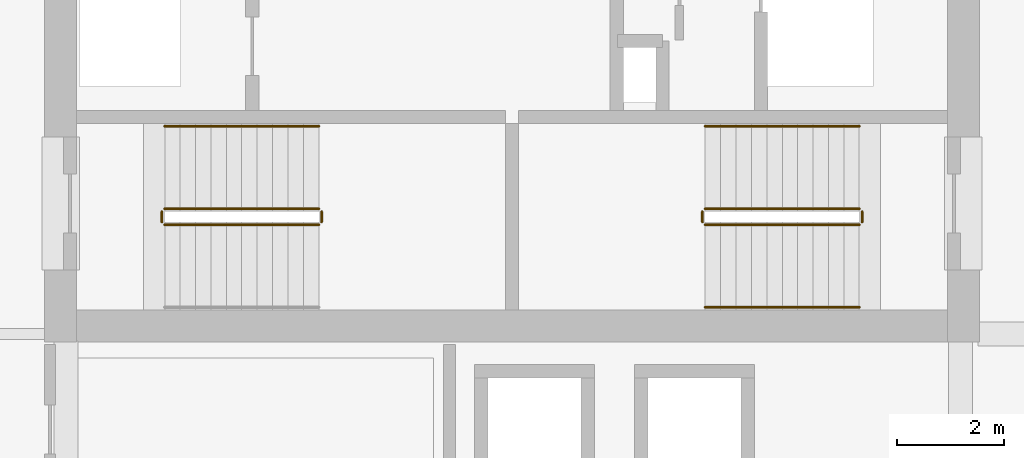
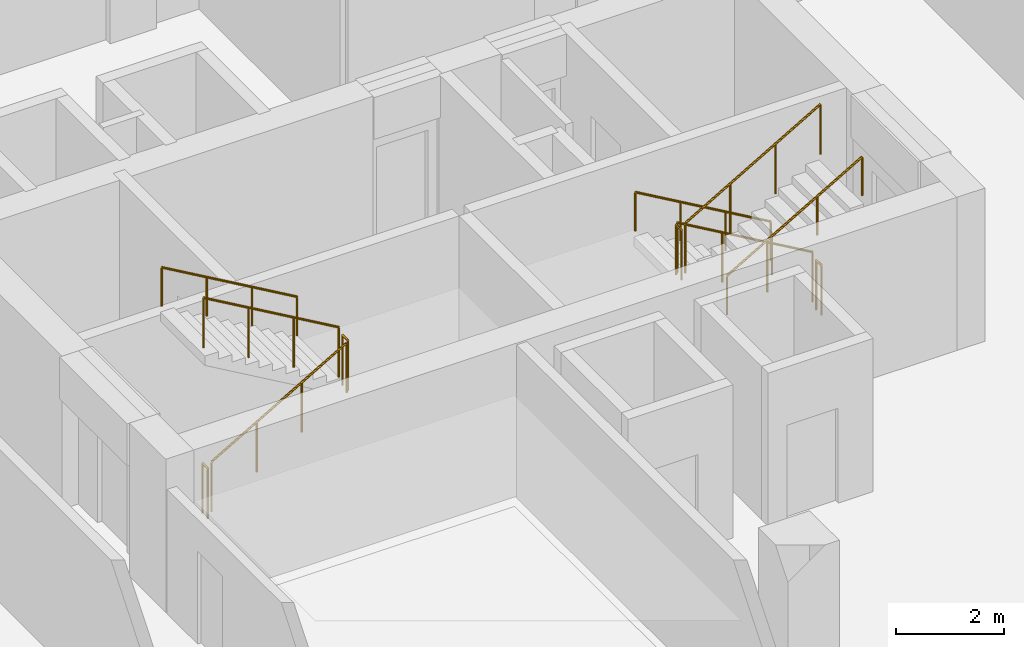
# One storey, part 19 of 21: 11 railings.
"""IFC4 building model written with IfcOpenShell, lengths in metres."""

from ifc_helpers import new_model, si_unit, direction, frame, origin, origin_2d, place, context, subcontext, project, spatial, circle, extrude, material, type_object, element, save


model = new_model("IFC4")

# Units and contexts
model_context = context("Model", 3, precision=1e-05, world=origin(), true_north=direction((0.0, 1.0)))
body_context = subcontext(model_context, "Body", "Model", "MODEL_VIEW")
ifc_project = project(units=[si_unit("LENGTHUNIT", "METRE"), si_unit("AREAUNIT", "SQUARE_METRE"), si_unit("VOLUMEUNIT", "CUBIC_METRE"), si_unit("PLANEANGLEUNIT", "RADIAN"), si_unit("MASSUNIT", "GRAM", prefix="KILO")], contexts=[model_context])

# Site, building, storey
site_placement = place(None, origin())
site = spatial("IfcSite", under=ifc_project, at=site_placement, CompositionType="ELEMENT")
building_placement = place(site_placement, origin())
building = spatial("IfcBuilding", under=site, at=building_placement, Name="Koriwani Terraces Tower", CompositionType="ELEMENT")
storey_placement = place(building_placement, frame((0.0, 0.0, 197.60009765625)))
storey = spatial("IfcBuildingStorey", under=building, at=storey_placement, Name="L48", CompositionType="ELEMENT", Elevation=197.60009765625)

# Railings
ifc_material = material(Name="Steel ASTM A572 Grade 50", Category="steel")
railing_type_1 = type_object("IfcRailingType", Name="GUARD_STAIR_WELL_1120", PredefinedType="GUARDRAIL", material=ifc_material)
railing_1_placement = place(storey_placement, frame((43.85009765625, 18.85009765625, 0.16796875)))
element("IfcRailing", 1, at=railing_1_placement, inside=storey, type_object=railing_type_1, Name="L48 ST-E1 stair guard 1", PredefinedType="GUARDRAIL", context=body_context, shape_type="SweptSolid", body=[
    extrude(circle(Radius=0.02392578125, at=origin_2d()), frame((0.0, 0.0, 1.1259765625), z_axis=(0.865038774852, 0.0, 0.501705010941), x_axis=(0.0, 1.0, 0.0)), (0.0, 0.0, 1.0), 3.352294921875),
    extrude(circle(Radius=0.02099609375, at=origin_2d()), origin(), (0.0, 0.0, 1.0), 1.101806640625),
    extrude(circle(Radius=0.02099609375, at=origin_2d()), frame((0.966552734375, 0.0, 0.560546875)), (0.0, 0.0, 1.0), 1.101806640625),
    extrude(circle(Radius=0.02099609375, at=origin_2d()), frame((1.933349609375, 0.0, 1.121337890625)), (0.0, 0.0, 1.0), 1.101806640625),
    extrude(circle(Radius=0.02099609375, at=origin_2d()), frame((2.89990234375, 0.0, 1.681884765625)), (0.0, 0.0, 1.0), 1.101806640625),
])
railing_2_placement = place(storey_placement, frame((46.800048828125, 18.89990234375, 1.849853515625)))
element("IfcRailing", 2, at=railing_2_placement, inside=storey, type_object=railing_type_1, Name="L48 ST-E1 stair guard 2", PredefinedType="GUARDRAIL", context=body_context, shape_type="SweptSolid", body=[
    extrude(circle(Radius=0.02392578125, at=origin_2d()), frame((0.0, 0.0, 1.1259765625), z_axis=(0.0, 1.0, 0.0), x_axis=(-1.0, 0.0, 0.0)), (0.0, 0.0, 1.0), 0.2001953125),
    extrude(circle(Radius=0.02099609375, at=origin_2d()), origin(), (0.0, 0.0, 1.0), 1.101806640625),
    extrude(circle(Radius=0.02099609375, at=origin_2d()), frame((0.0, 0.2001953125, 0.0)), (0.0, 0.0, 1.0), 1.101806640625),
])
railing_3_placement = place(storey_placement, frame((46.75, 19.14990234375, 2.01806640625)))
element("IfcRailing", 3, at=railing_3_placement, inside=storey, type_object=railing_type_1, Name="L48 ST-E1 stair guard 3", PredefinedType="GUARDRAIL", context=body_context, shape_type="SweptSolid", body=[
    extrude(circle(Radius=0.02392578125, at=origin_2d()), frame((0.0, 0.0, 1.1259765625), z_axis=(-0.865038774852, 0.0, 0.501705010941), x_axis=(0.0, -1.0, 0.0)), (0.0, 0.0, 1.0), 3.352294921875),
    extrude(circle(Radius=0.02099609375, at=origin_2d()), origin(), (0.0, 0.0, 1.0), 1.101806640625),
    extrude(circle(Radius=0.02099609375, at=origin_2d()), frame((-0.966552734375, 0.0, 0.560546875)), (0.0, 0.0, 1.0), 1.101806640625),
    extrude(circle(Radius=0.02099609375, at=origin_2d()), frame((-1.933349609375, 0.0, 1.121337890625)), (0.0, 0.0, 1.0), 1.101806640625),
    extrude(circle(Radius=0.02099609375, at=origin_2d()), frame((-2.89990234375, 0.0, 1.681884765625)), (0.0, 0.0, 1.0), 1.101806640625),
])
railing_4_placement = place(storey_placement, frame((43.800048828125, 18.89990234375, 0.0)))
element("IfcRailing", 4, at=railing_4_placement, inside=storey, type_object=railing_type_1, Name="L48 ST-E1 stair guard 4", PredefinedType="GUARDRAIL", context=body_context, shape_type="SweptSolid", body=[
    extrude(circle(Radius=0.02392578125, at=origin_2d()), frame((0.0, 0.0, 1.1259765625), z_axis=(0.0, 1.0, 0.0), x_axis=(-1.0, 0.0, 0.0)), (0.0, 0.0, 1.0), 0.2001953125),
    extrude(circle(Radius=0.02099609375, at=origin_2d()), origin(), (0.0, 0.0, 1.0), 1.101806640625),
    extrude(circle(Radius=0.02099609375, at=origin_2d()), frame((0.0, 0.2001953125, 0.0)), (0.0, 0.0, 1.0), 1.101806640625),
])
railing_5_placement = place(storey_placement, frame((56.89990234375, 19.14990234375, 0.16796875)))
element("IfcRailing", 5, at=railing_5_placement, inside=storey, type_object=railing_type_1, Name="L48 ST-E2 stair guard 1", PredefinedType="GUARDRAIL", context=body_context, shape_type="SweptSolid", body=[
    extrude(circle(Radius=0.02392578125, at=origin_2d()), frame((0.0, 0.0, 1.1259765625), z_axis=(-0.865038774852, 0.0, 0.501705010941), x_axis=(0.0, -1.0, 0.0)), (0.0, 0.0, 1.0), 3.352294921875),
    extrude(circle(Radius=0.02099609375, at=origin_2d()), origin(), (0.0, 0.0, 1.0), 1.101806640625),
    extrude(circle(Radius=0.02099609375, at=origin_2d()), frame((-0.966552734375, 0.0, 0.560546875)), (0.0, 0.0, 1.0), 1.101806640625),
    extrude(circle(Radius=0.02099609375, at=origin_2d()), frame((-1.933349609375, 0.0, 1.121337890625)), (0.0, 0.0, 1.0), 1.101806640625),
    extrude(circle(Radius=0.02099609375, at=origin_2d()), frame((-2.89990234375, 0.0, 1.681884765625)), (0.0, 0.0, 1.0), 1.101806640625),
])
railing_6_placement = place(storey_placement, frame((53.949951171875, 19.10009765625, 1.849853515625)))
element("IfcRailing", 6, at=railing_6_placement, inside=storey, type_object=railing_type_1, Name="L48 ST-E2 stair guard 2", PredefinedType="GUARDRAIL", context=body_context, shape_type="SweptSolid", body=[
    extrude(circle(Radius=0.02392578125, at=origin_2d()), frame((0.0, 0.0, 1.1259765625), z_axis=(0.0, -1.0, 0.0), x_axis=(1.0, 0.0, 0.0)), (0.0, 0.0, 1.0), 0.2001953125),
    extrude(circle(Radius=0.02099609375, at=origin_2d()), origin(), (0.0, 0.0, 1.0), 1.101806640625),
    extrude(circle(Radius=0.02099609375, at=origin_2d()), frame((0.0, -0.2001953125, 0.0)), (0.0, 0.0, 1.0), 1.101806640625),
])
railing_7_placement = place(storey_placement, frame((54.0, 18.85009765625, 2.01806640625)))
element("IfcRailing", 7, at=railing_7_placement, inside=storey, type_object=railing_type_1, Name="L48 ST-E2 stair guard 3", PredefinedType="GUARDRAIL", context=body_context, shape_type="SweptSolid", body=[
    extrude(circle(Radius=0.02392578125, at=origin_2d()), frame((0.0, 0.0, 1.1259765625), z_axis=(0.865038774852, 0.0, 0.501705010941), x_axis=(0.0, 1.0, 0.0)), (0.0, 0.0, 1.0), 3.352294921875),
    extrude(circle(Radius=0.02099609375, at=origin_2d()), origin(), (0.0, 0.0, 1.0), 1.101806640625),
    extrude(circle(Radius=0.02099609375, at=origin_2d()), frame((0.966552734375, 0.0, 0.560546875)), (0.0, 0.0, 1.0), 1.101806640625),
    extrude(circle(Radius=0.02099609375, at=origin_2d()), frame((1.933349609375, 0.0, 1.121337890625)), (0.0, 0.0, 1.0), 1.101806640625),
    extrude(circle(Radius=0.02099609375, at=origin_2d()), frame((2.89990234375, 0.0, 1.681884765625)), (0.0, 0.0, 1.0), 1.101806640625),
])
railing_8_placement = place(storey_placement, frame((56.949951171875, 19.10009765625, 0.0)))
element("IfcRailing", 8, at=railing_8_placement, inside=storey, type_object=railing_type_1, Name="L48 ST-E2 stair guard 4", PredefinedType="GUARDRAIL", context=body_context, shape_type="SweptSolid", body=[
    extrude(circle(Radius=0.02392578125, at=origin_2d()), frame((0.0, 0.0, 1.1259765625), z_axis=(0.0, -1.0, 0.0), x_axis=(1.0, 0.0, 0.0)), (0.0, 0.0, 1.0), 0.2001953125),
    extrude(circle(Radius=0.02099609375, at=origin_2d()), origin(), (0.0, 0.0, 1.0), 1.101806640625),
    extrude(circle(Radius=0.02099609375, at=origin_2d()), frame((0.0, -0.2001953125, 0.0)), (0.0, 0.0, 1.0), 1.101806640625),
])
railing_type_2 = type_object("IfcRailingType", Name="HANDRAIL_STAIR_920", PredefinedType="HANDRAIL", material=ifc_material)
for number, where, name in (
    (9, (46.75, 20.699951171875, 2.01806640625), "L48 ST-E1 stair handrail 2"),
    (10, (56.89990234375, 20.699951171875, 0.16796875), "L48 ST-E2 stair handrail 1"),
):
    element("IfcRailing", number, at=place(storey_placement, frame(where)), inside=storey, type_object=railing_type_2, Name=name, PredefinedType="HANDRAIL", context=body_context, shape_type="SweptSolid", body=[
        extrude(circle(Radius=0.02392578125, at=origin_2d()), frame((0.0, 0.0, 0.8759765625), z_axis=(-0.865038774852, 0.0, 0.501705010941), x_axis=(0.0, -1.0, 0.0)), (0.0, 0.0, 1.0), 3.352294921875),
        extrude(circle(Radius=0.02099609375, at=origin_2d()), origin(), (0.0, 0.0, 1.0), 0.851806640625),
        extrude(circle(Radius=0.02099609375, at=origin_2d()), frame((-0.966552734375, 0.0, 0.560546875)), (0.0, 0.0, 1.0), 0.851806640625),
        extrude(circle(Radius=0.02099609375, at=origin_2d()), frame((-1.933349609375, 0.0, 1.121337890625)), (0.0, 0.0, 1.0), 0.851806640625),
        extrude(circle(Radius=0.02099609375, at=origin_2d()), frame((-2.89990234375, 0.0, 1.681884765625)), (0.0, 0.0, 1.0), 0.851806640625),
    ])
railing_9_placement = place(storey_placement, frame((54.0, 17.300048828125, 2.01806640625)))
element("IfcRailing", 11, at=railing_9_placement, inside=storey, type_object=railing_type_2, Name="L48 ST-E2 stair handrail 2", PredefinedType="HANDRAIL", context=body_context, shape_type="SweptSolid", body=[
    extrude(circle(Radius=0.02392578125, at=origin_2d()), frame((0.0, 0.0, 0.8759765625), z_axis=(0.865038774852, 0.0, 0.501705010941), x_axis=(0.0, 1.0, 0.0)), (0.0, 0.0, 1.0), 3.352294921875),
    extrude(circle(Radius=0.02099609375, at=origin_2d()), origin(), (0.0, 0.0, 1.0), 0.851806640625),
    extrude(circle(Radius=0.02099609375, at=origin_2d()), frame((0.966552734375, 0.0, 0.560546875)), (0.0, 0.0, 1.0), 0.851806640625),
    extrude(circle(Radius=0.02099609375, at=origin_2d()), frame((1.933349609375, 0.0, 1.121337890625)), (0.0, 0.0, 1.0), 0.851806640625),
    extrude(circle(Radius=0.02099609375, at=origin_2d()), frame((2.89990234375, 0.0, 1.681884765625)), (0.0, 0.0, 1.0), 0.851806640625),
])

save(model, "model.ifc")
